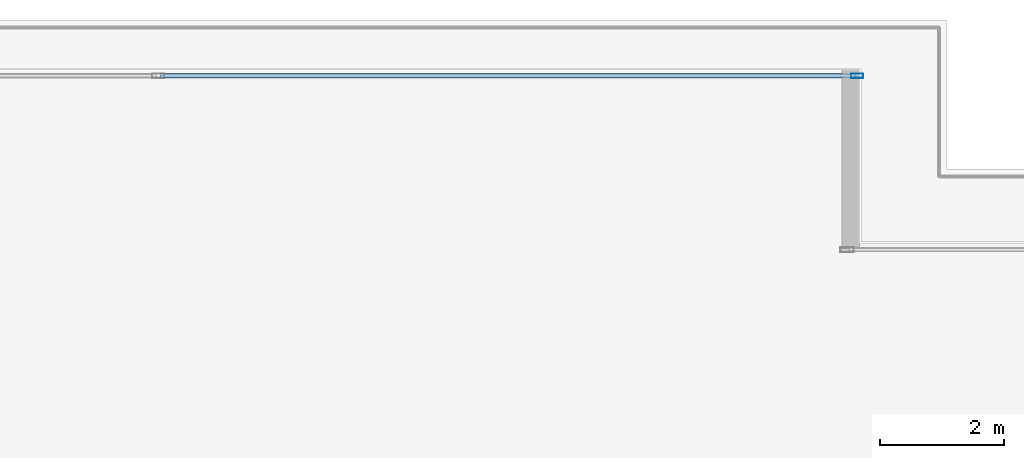
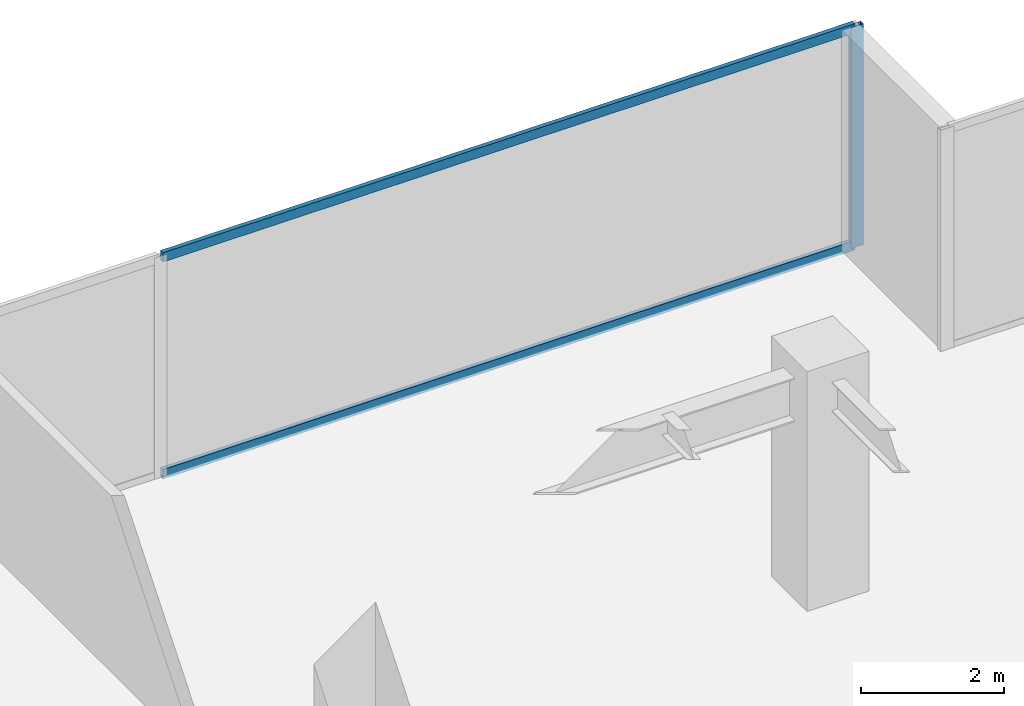
# One storey, part 27 of 36: 3 members, 1 element without a shape of its own.
"""IFC4 building model written with IfcOpenShell, lengths in metres."""

from ifc_helpers import new_model, si_unit, direction, frame, origin, origin_2d, place, context, subcontext, project, spatial, hollow_rectangle, extrude, source, transform, mapped, material, layer, layer_set, material_profile, profile_set, type_object, type_shapes, element, aggregate, save


model = new_model("IFC4")

# Units and contexts
model_context = context("Model", 3, precision=1e-05, world=origin(), true_north=direction((0.0, 1.0)))
body_context = subcontext(model_context, "Body", "Model", "MODEL_VIEW")
ifc_project = project(units=[si_unit("LENGTHUNIT", "METRE"), si_unit("AREAUNIT", "SQUARE_METRE"), si_unit("VOLUMEUNIT", "CUBIC_METRE"), si_unit("PLANEANGLEUNIT", "RADIAN"), si_unit("MASSUNIT", "GRAM", prefix="KILO")], contexts=[model_context])

# Site, building, storey
site_placement = place(None, origin())
site = spatial("IfcSite", under=ifc_project, at=site_placement, CompositionType="ELEMENT")
building_placement = place(site_placement, origin())
building = spatial("IfcBuilding", under=site, at=building_placement, Name="Haelvirn Gate Laboratories", CompositionType="ELEMENT")
storey_placement = place(building_placement, frame((0.0, 0.0, 25.199951171875)))
storey = spatial("IfcBuildingStorey", under=building, at=storey_placement, Name="L06", CompositionType="ELEMENT", Elevation=25.199951171875)

# Curtain wall, members
ifc_material_1 = material(Name="Anodised bronze unitised aluminium & triple low-E glass", Category="aluminium")
ifc_layer = layer(ifc_material_1, 0.18408203125, Name="CW-SYS-2")
ifc_layer_set = layer_set([ifc_layer], Name="Anodised bronze unitised aluminium & triple low-E glass")
curtain_wall_type = type_object("IfcCurtainWallType", Name="CW-SYS-2", PredefinedType="NOTDEFINED", material=ifc_layer_set)
curtain_wall_placement = place(storey_placement, origin())
curtain_wall = element("IfcCurtainWall", 1, at=curtain_wall_placement, inside=storey, type_object=curtain_wall_type, Name="L06 Unitised Curtain Wall CW-L06-P0-E10-1", PredefinedType="NOTDEFINED")
ifc_material_2 = material(Name="Extruded aluminium 6063-T6 (anodised bronze)", Category="aluminium")
ifc_material_profile_1 = material_profile(ifc_material_2, hollow_rectangle(XDim=0.074951171875, YDim=0.199951171875, WallThickness=0.0048828125, at=origin_2d()), Name="CWM-200x75x5")
ifc_profile_set_1 = profile_set([ifc_material_profile_1], Name="Extruded aluminium 6063-T6 (anodised bronze)")
member_type_1 = type_object("IfcMemberType", Name="CWM-T200", PredefinedType="MULLION", material=ifc_profile_set_1)
shared_shape_1 = source(origin(), body_context, "Body", "SweptSolid", [
    extrude(hollow_rectangle(XDim=0.074951171875, YDim=0.199951171875, WallThickness=0.0048828125, at=origin_2d()), origin(), (0.0, 0.0, 1.0), 3.780029296875),
])
type_shapes(member_type_1, [shared_shape_1])
member_1_placement = place(storey_placement, frame((71.96240234375, 48.5, 0.0), z_axis=(0.0, 0.0, 1.0), x_axis=(0.0, 1.0, 0.0)))
member_1 = element("IfcMember", 2, at=member_1_placement, type_object=member_type_1, Name="CW2 mullion 3", PredefinedType="MULLION", context=body_context, shape_type="MappedRepresentation", body=[
    mapped(shared_shape_1, transform((0.0, 0.0, 0.0), scale=1.0)),
])
ifc_material_profile_2 = material_profile(ifc_material_2, hollow_rectangle(XDim=0.070068359375, YDim=0.159912109375, WallThickness=0.0048828125, at=origin_2d()), Name="CWT-160x70x5")
ifc_profile_set_2 = profile_set([ifc_material_profile_2], Name="Extruded aluminium 6063-T6 (anodised bronze)")
member_type_2 = type_object("IfcMemberType", Name="CWT-T160", PredefinedType="USERDEFINED", material=ifc_profile_set_2)
shared_shape_2 = source(origin(), body_context, "Body", "SweptSolid", [
    extrude(hollow_rectangle(XDim=0.070068359375, YDim=0.159912109375, WallThickness=0.0048828125, at=origin_2d()), origin(), (0.0, 0.0, 1.0), 11.1875),
])
type_shapes(member_type_2, [shared_shape_2])
member_2_placement = place(storey_placement, frame((60.737548828125, 48.5, 0.03515625), z_axis=(1.0, 0.0, 0.0), x_axis=(0.0, 1.0, 0.0)))
member_2 = element("IfcMember", 3, at=member_2_placement, type_object=member_type_2, Name="CW2 transom 2.1", ObjectType="TRANSOM", PredefinedType="USERDEFINED", context=body_context, shape_type="MappedRepresentation", body=[
    mapped(shared_shape_2, transform((0.0, 0.0, 0.0), scale=1.0)),
])
member_3_placement = place(storey_placement, frame((60.737548828125, 48.5, 3.7451171875), z_axis=(1.0, 0.0, 0.0), x_axis=(0.0, 1.0, 0.0)))
member_3 = element("IfcMember", 4, at=member_3_placement, type_object=member_type_2, Name="CW2 transom 2.2", ObjectType="TRANSOM", PredefinedType="USERDEFINED", context=body_context, shape_type="MappedRepresentation", body=[
    mapped(shared_shape_2, transform((0.0, 0.0, 0.0), scale=1.0)),
])
aggregate(curtain_wall, [member_1, member_2, member_3])

save(model, "model.ifc")
